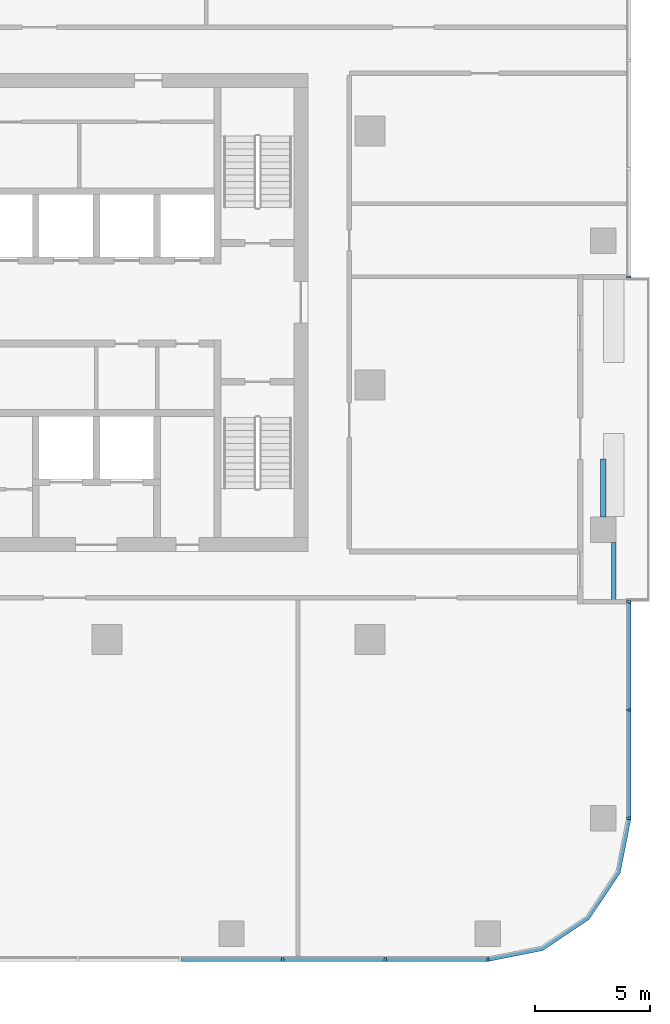
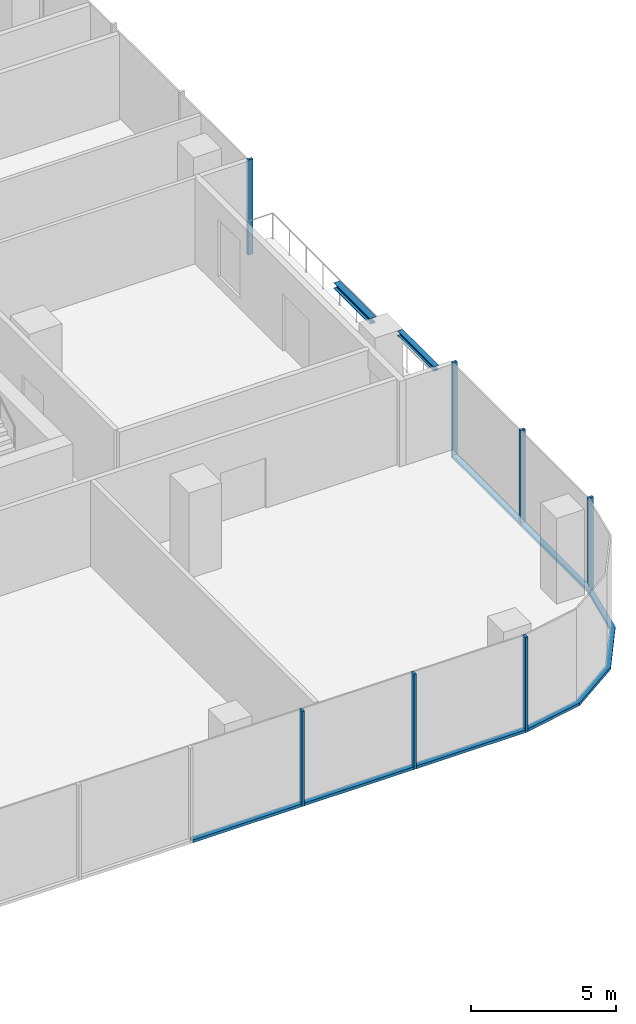
# One storey, part 3 of 14: 13 members, 2 beams, 4 elements without a shape of their own.
"""IFC4 building model written with IfcOpenShell, lengths in metres."""

from ifc_helpers import new_model, si_unit, direction, frame, origin, origin_2d, place, context, subcontext, project, spatial, polyline, rectangle, i_section, outline, extrude, material, material_profile, profile_set, type_object, element, aggregate, save


model = new_model("IFC4")

# Units and contexts
model_context = context("Model", 3, precision=1e-05, world=origin(), true_north=direction((0.0, 1.0)))
body_context = subcontext(model_context, "Body", "Model", "MODEL_VIEW")
ifc_project = project(units=[si_unit("LENGTHUNIT", "METRE"), si_unit("AREAUNIT", "SQUARE_METRE"), si_unit("VOLUMEUNIT", "CUBIC_METRE"), si_unit("PLANEANGLEUNIT", "RADIAN"), si_unit("MASSUNIT", "GRAM", prefix="KILO")], contexts=[model_context])

# Site, building, storey
site_placement = place(None, origin())
site = spatial("IfcSite", under=ifc_project, at=site_placement, CompositionType="ELEMENT")
building_placement = place(site_placement, origin())
building = spatial("IfcBuilding", under=site, at=building_placement, Name="Mopane Tessera Tower", CompositionType="ELEMENT")
storey_placement = place(building_placement, frame((0.0, 0.0, 227.0)))
storey = spatial("IfcBuildingStorey", under=building, at=storey_placement, Name="L48", CompositionType="ELEMENT", Elevation=227.0)

# Curtain wall, members
ifc_material_1 = material(Name="Aluminium frame", Category="aluminium")
curtain_wall_type = type_object("IfcCurtainWallType", Name="Unitised curtain wall", PredefinedType="NOTDEFINED", material=ifc_material_1)
curtain_wall_1_placement = place(storey_placement, origin())
curtain_wall_1 = element("IfcCurtainWall", 1, at=curtain_wall_1_placement, inside=storey, type_object=curtain_wall_type, Name="e:cw:L48:S:4", PredefinedType="NOTDEFINED")
ifc_material_2 = material(Name="Aluminium frame", Category="aluminium")
ifc_material_profile_1 = material_profile(ifc_material_2, rectangle(XDim=0.10009765625, YDim=0.199951171875, at=origin_2d()))
ifc_profile_set_1 = profile_set([ifc_material_profile_1], Name="Aluminium frame")
member_type_1 = type_object("IfcMemberType", Name="Aluminium mullion 100 x 200", PredefinedType="MULLION", material=ifc_profile_set_1)
member_1_placement = place(storey_placement, frame((13.320068359375, -24.85009765625, -0.39990234375), z_axis=(0.0, 0.0, 1.0), x_axis=(1.0, 0.0, 0.0)))
member_1 = element("IfcMember", 2, at=member_1_placement, type_object=member_type_1, Name="e:cw:L48:S:4:mu8", PredefinedType="MULLION", context=body_context, shape_type="SweptSolid", body=[
    extrude(rectangle(XDim=0.10009765625, YDim=0.199951171875, at=origin_2d()), origin(), (0.0, 0.0, 1.0), 4.0),
])
member_2_placement = place(storey_placement, frame((17.760009765625, -24.85009765625, -0.39990234375), z_axis=(0.0, 0.0, 1.0), x_axis=(1.0, 0.0, 0.0)))
member_2 = element("IfcMember", 3, at=member_2_placement, type_object=member_type_1, Name="e:cw:L48:S:4:mu9", PredefinedType="MULLION", context=body_context, shape_type="SweptSolid", body=[
    extrude(rectangle(XDim=0.10009765625, YDim=0.199951171875, at=origin_2d()), origin(), (0.0, 0.0, 1.0), 4.0),
])
member_3_placement = place(storey_placement, frame((22.199951171875, -24.85009765625, -0.39990234375), z_axis=(0.0, 0.0, 1.0), x_axis=(1.0, 0.0, 0.0)))
member_3 = element("IfcMember", 4, at=member_3_placement, type_object=member_type_1, Name="e:cw:L48:S:4:mu10", PredefinedType="MULLION", context=body_context, shape_type="SweptSolid", body=[
    extrude(rectangle(XDim=0.10009765625, YDim=0.199951171875, at=origin_2d()), origin(), (0.0, 0.0, 1.0), 4.0),
])

curtain_wall_2_placement = place(storey_placement, origin())
curtain_wall_2 = element("IfcCurtainWall", 5, at=curtain_wall_2_placement, inside=storey, type_object=curtain_wall_type, Name="e:cw:L48:E:0", PredefinedType="NOTDEFINED")
member_4_placement = place(storey_placement, frame((28.300048828125, -18.75, -0.39990234375), z_axis=(0.0, 0.0, 1.0), x_axis=(0.0, 1.0, 0.0)))
member_4 = element("IfcMember", 6, at=member_4_placement, type_object=member_type_1, Name="e:cw:L48:E:0:mu0", PredefinedType="MULLION", context=body_context, shape_type="SweptSolid", body=[
    extrude(rectangle(XDim=0.10009765625, YDim=0.199951171875, at=origin_2d()), origin(), (0.0, 0.0, 1.0), 4.0),
])
member_5_placement = place(storey_placement, frame((28.300048828125, -14.0625, -0.39990234375), z_axis=(0.0, 0.0, 1.0), x_axis=(0.0, 1.0, 0.0)))
member_5 = element("IfcMember", 7, at=member_5_placement, type_object=member_type_1, Name="e:cw:L48:E:0:mu1", PredefinedType="MULLION", context=body_context, shape_type="SweptSolid", body=[
    extrude(rectangle(XDim=0.10009765625, YDim=0.199951171875, at=origin_2d()), origin(), (0.0, 0.0, 1.0), 4.0),
])
member_6_placement = place(storey_placement, frame((28.300048828125, -9.375, -0.39990234375), z_axis=(0.0, 0.0, 1.0), x_axis=(0.0, 1.0, 0.0)))
member_6 = element("IfcMember", 8, at=member_6_placement, type_object=member_type_1, Name="e:cw:L48:E:0:mu2", PredefinedType="MULLION", context=body_context, shape_type="SweptSolid", body=[
    extrude(rectangle(XDim=0.10009765625, YDim=0.199951171875, at=origin_2d()), origin(), (0.0, 0.0, 1.0), 4.0),
])

# Curtain wall, member
curtain_wall_3_placement = place(storey_placement, origin())
curtain_wall_3 = element("IfcCurtainWall", 9, at=curtain_wall_3_placement, inside=storey, type_object=curtain_wall_type, Name="e:cw:L48:E:5", PredefinedType="NOTDEFINED")
member_7_placement = place(storey_placement, frame((28.300048828125, 4.6875, -0.39990234375), z_axis=(0.0, 0.0, 1.0), x_axis=(0.0, 1.0, 0.0)))
member_7 = element("IfcMember", 10, at=member_7_placement, type_object=member_type_1, Name="e:cw:L48:E:5:mu5", PredefinedType="MULLION", context=body_context, shape_type="SweptSolid", body=[
    extrude(rectangle(XDim=0.10009765625, YDim=0.199951171875, at=origin_2d()), origin(), (0.0, 0.0, 1.0), 4.0),
])
aggregate(curtain_wall_3, [member_7])

# Member
ifc_material_3 = material(Name="Aluminium frame", Category="aluminium")
ifc_material_profile_2 = material_profile(ifc_material_3, rectangle(XDim=0.199951171875, YDim=0.1201171875, at=origin_2d()))
ifc_profile_set_2 = profile_set([ifc_material_profile_2], Name="Aluminium frame")
member_type_2 = type_object("IfcMemberType", Name="Aluminium transom 200 x 120", PredefinedType="USERDEFINED", material=ifc_profile_set_2)
member_8_placement = place(storey_placement, frame((8.929931640625, -24.85009765625, -0.340087890625), z_axis=(1.0, 0.0, 0.0), x_axis=(0.0, 1.0, 0.0)))
member_8 = element("IfcMember", 11, at=member_8_placement, type_object=member_type_2, Name="e:cw:L48:S:4:tr7", ObjectType="TRANSOM", PredefinedType="USERDEFINED", context=body_context, shape_type="SweptSolid", body=[
    extrude(rectangle(XDim=0.199951171875, YDim=0.1201171875, at=origin_2d()), origin(), (0.0, 0.0, 1.0), 4.340087890625),
])

member_9_placement = place(storey_placement, frame((13.3701171875, -24.85009765625, -0.340087890625), z_axis=(1.0, 0.0, 0.0), x_axis=(0.0, 1.0, 0.0)))
member_9 = element("IfcMember", 12, at=member_9_placement, type_object=member_type_2, Name="e:cw:L48:S:4:tr8", ObjectType="TRANSOM", PredefinedType="USERDEFINED", context=body_context, shape_type="SweptSolid", body=[
    extrude(rectangle(XDim=0.199951171875, YDim=0.1201171875, at=origin_2d()), origin(), (0.0, 0.0, 1.0), 4.33984375),
])

member_10_placement = place(storey_placement, frame((17.81005859375, -24.85009765625, -0.340087890625), z_axis=(1.0, 0.0, 0.0), x_axis=(0.0, 1.0, 0.0)))
member_10 = element("IfcMember", 13, at=member_10_placement, type_object=member_type_2, Name="e:cw:L48:S:4:tr9", ObjectType="TRANSOM", PredefinedType="USERDEFINED", context=body_context, shape_type="SweptSolid", body=[
    extrude(rectangle(XDim=0.199951171875, YDim=0.1201171875, at=origin_2d()), origin(), (0.0, 0.0, 1.0), 4.33984375),
])

aggregate(curtain_wall_1, [member_1, member_2, member_3, member_8, member_9, member_10])

# Curtain wall, member
curtain_wall_4_placement = place(storey_placement, origin())
curtain_wall_4 = element("IfcCurtainWall", 14, at=curtain_wall_4_placement, inside=storey, type_object=curtain_wall_type, Name="e:cw:L48:CS", PredefinedType="NOTDEFINED")
member_11_placement = place(storey_placement, frame((0.0, 0.0, -0.39990234375)))
member_11 = element("IfcMember", 15, at=member_11_placement, type_object=member_type_2, Name="e:cw:L48:CS:tr", ObjectType="TRANSOM", PredefinedType="USERDEFINED", context=body_context, shape_type="SweptSolid", body=[
    extrude(outline(polyline([(22.199951171875, -24.75), (24.49609375, -24.293212890625), (26.442626953125, -22.99267578125), (27.7431640625, -21.046142578125), (28.199951171875, -18.75), (28.39990234375, -18.75), (27.927978515625, -21.12255859375), (26.583984375, -23.134033203125), (24.57275390625, -24.47802734375), (22.199951171875, -24.949951171875), (22.199951171875, -24.75)])), origin(), (0.0, 0.0, 1.0), 0.119873046875),
])
aggregate(curtain_wall_4, [member_11])

# Member
member_12_placement = place(storey_placement, frame((28.300048828125, -18.699951171875, -0.340087890625), z_axis=(0.0, 1.0, 0.0), x_axis=(-1.0, 0.0, 0.0)))
member_12 = element("IfcMember", 16, at=member_12_placement, type_object=member_type_2, Name="e:cw:L48:E:0:tr0", ObjectType="TRANSOM", PredefinedType="USERDEFINED", context=body_context, shape_type="SweptSolid", body=[
    extrude(rectangle(XDim=0.199951171875, YDim=0.1201171875, at=origin_2d()), origin(), (0.0, 0.0, 1.0), 4.58740234375),
])

member_13_placement = place(storey_placement, frame((28.300048828125, -14.012451171875, -0.340087890625), z_axis=(0.0, 1.0, 0.0), x_axis=(-1.0, 0.0, 0.0)))
member_13 = element("IfcMember", 17, at=member_13_placement, type_object=member_type_2, Name="e:cw:L48:E:0:tr1", ObjectType="TRANSOM", PredefinedType="USERDEFINED", context=body_context, shape_type="SweptSolid", body=[
    extrude(rectangle(XDim=0.199951171875, YDim=0.1201171875, at=origin_2d()), origin(), (0.0, 0.0, 1.0), 4.58740234375),
])

aggregate(curtain_wall_2, [member_4, member_5, member_6, member_12, member_13])

# Beams
ifc_material_4 = material(Name="Structural steel S460", Category="steel")
ifc_material_profile_3 = material_profile(ifc_material_4, i_section(OverallWidth=0.239990234375, OverallDepth=0.239990234375, WebThickness=0.010009765625, FlangeThickness=0.01708984375, FilletRadius=0.02099609375, at=origin_2d()))
ifc_profile_set_3 = profile_set([ifc_material_profile_3], Name="Structural steel S460")
beam_type_1 = type_object("IfcBeamType", Name="Terrace spandrel beam HE 240 B", PredefinedType="SPANDREL", material=ifc_profile_set_3)
beam_1_placement = place(storey_placement, frame((27.199951171875, -5.697021484375, 3.47998046875), z_axis=(0.0, 1.0, 0.0), x_axis=(-1.0, 0.0, 0.0)))
element("IfcBeam", 18, at=beam_1_placement, inside=storey, type_object=beam_type_1, Name="Terrace spandrel beam N2 L49", PredefinedType="SPANDREL", context=body_context, shape_type="SweptSolid", body=[
    extrude(i_section(OverallWidth=0.239990234375, OverallDepth=0.239990234375, WebThickness=0.010009765625, FlangeThickness=0.01708984375, FilletRadius=0.02099609375, at=origin_2d()), origin(), (0.0, 0.0, 1.0), 2.5),
])
ifc_material_5 = material(Name="Structural steel S460", Category="steel")
ifc_material_profile_4 = material_profile(ifc_material_5, i_section(OverallWidth=0.199951171875, OverallDepth=0.199951171875, WebThickness=0.009033203125, FlangeThickness=0.014892578125, FilletRadius=0.01806640625, at=origin_2d()))
ifc_profile_set_4 = profile_set([ifc_material_profile_4], Name="Structural steel S460")
beam_type_2 = type_object("IfcBeamType", Name="Terrace trimmer beam HE 200 B", PredefinedType="BEAM", material=ifc_profile_set_4)
beam_2_placement = place(storey_placement, frame((27.639892578125, -6.802978515625, 3.5), z_axis=(0.0, -1.0, 0.0), x_axis=(1.0, 0.0, 0.0)))
element("IfcBeam", 19, at=beam_2_placement, inside=storey, type_object=beam_type_2, Name="Terrace trimmer beam N2 L49", PredefinedType="BEAM", context=body_context, shape_type="SweptSolid", body=[
    extrude(i_section(OverallWidth=0.199951171875, OverallDepth=0.199951171875, WebThickness=0.009033203125, FlangeThickness=0.014892578125, FilletRadius=0.01806640625, at=origin_2d()), origin(), (0.0, 0.0, 1.0), 2.5),
])

save(model, "model.ifc")
